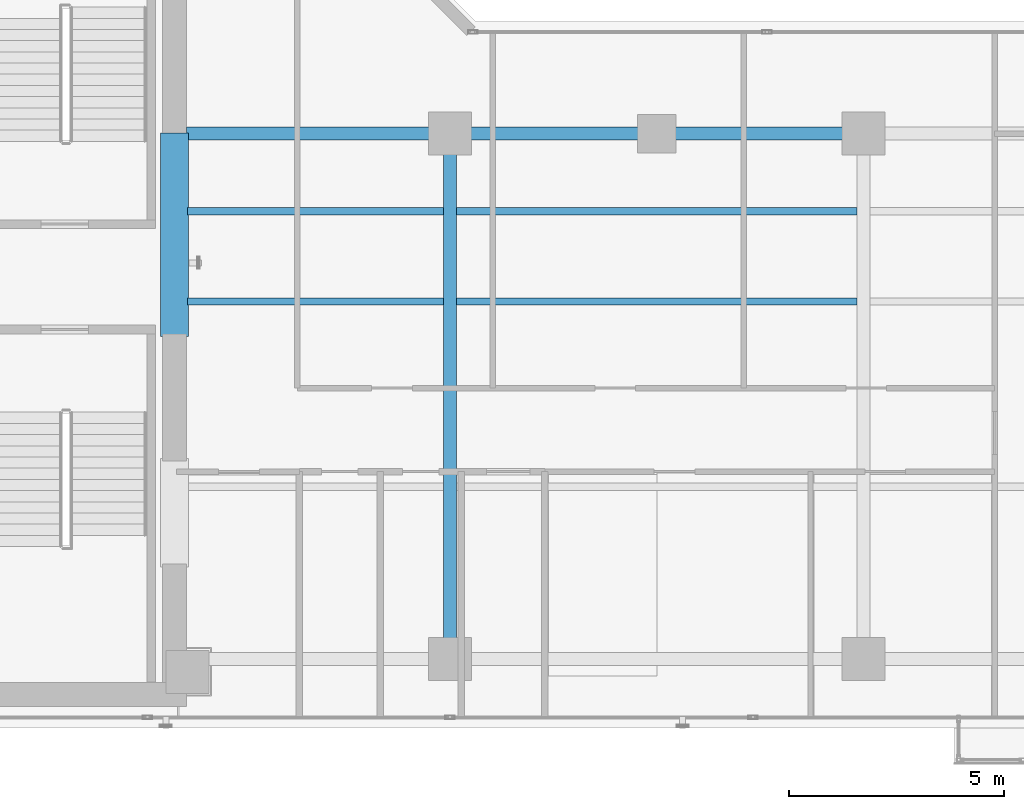
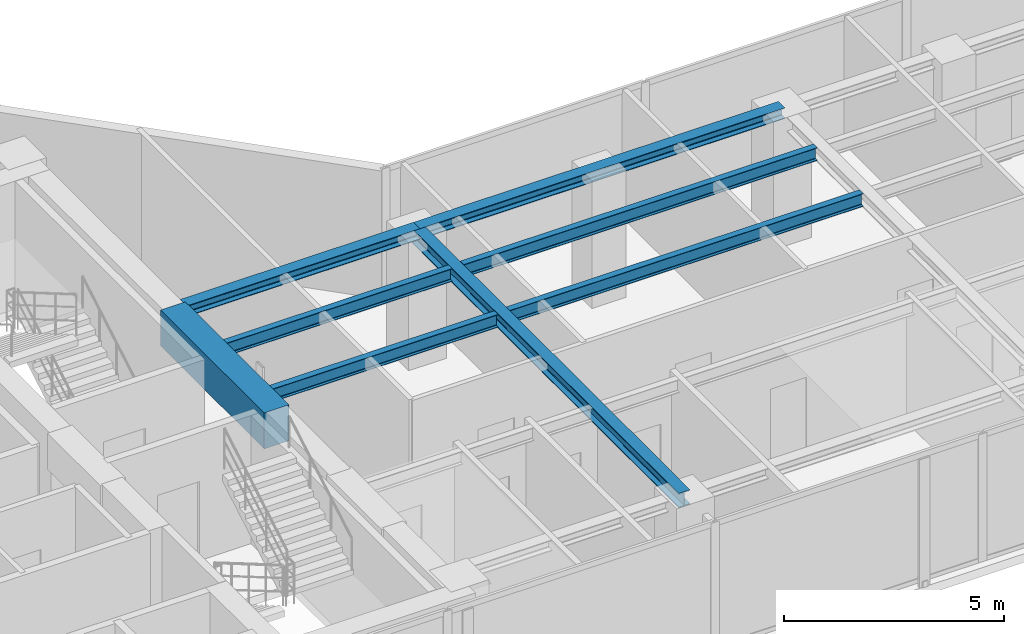
# One storey, part 5 of 23: 8 beams.
"""IFC4 building model written with IfcOpenShell, lengths in metres."""

from ifc_helpers import new_model, si_unit, direction, frame, origin, origin_2d, place, context, subcontext, project, spatial, rectangle, i_section, extrude, material, material_profile, profile_set, type_object, element, save


model = new_model("IFC4")

# Units and contexts
model_context = context("Model", 3, precision=1e-05, world=origin(), true_north=direction((0.0, 1.0)))
body_context = subcontext(model_context, "Body", "Model", "MODEL_VIEW")
ifc_project = project(units=[si_unit("LENGTHUNIT", "METRE"), si_unit("AREAUNIT", "SQUARE_METRE"), si_unit("VOLUMEUNIT", "CUBIC_METRE"), si_unit("PLANEANGLEUNIT", "RADIAN"), si_unit("MASSUNIT", "GRAM", prefix="KILO")], contexts=[model_context])

# Site, building, storey
site_placement = place(None, origin())
site = spatial("IfcSite", under=ifc_project, at=site_placement, CompositionType="ELEMENT")
building_placement = place(site_placement, origin())
building = spatial("IfcBuilding", under=site, at=building_placement, Name="Kolvaren Waterfront Exchange", CompositionType="ELEMENT")
storey_placement = place(building_placement, frame((0.0, 0.0, 227.300048828125)))
storey = spatial("IfcBuildingStorey", under=building, at=storey_placement, Name="L58", CompositionType="ELEMENT", Elevation=227.300048828125)

# Beams
ifc_material_1 = material(Name="Steel S355", Category="steel")
ifc_material_profile_1 = material_profile(ifc_material_1, i_section(OverallWidth=0.300048828125, OverallDepth=0.300048828125, WebThickness=0.010986328125, FlangeThickness=0.01904296875, FilletRadius=0.027099609375, at=origin_2d()), Name="HEB300")
ifc_profile_set_1 = profile_set([ifc_material_profile_1], Name="Steel S355")
beam_type_1 = type_object("IfcBeamType", Name="STR-BM-HEB300", PredefinedType="SPANDREL", material=ifc_profile_set_1)
beam_1_placement = place(storey_placement, frame((21.074951171875, 17.39990234375, 3.409912109375), z_axis=(1.0, 0.0, 0.0), x_axis=(0.0, 1.0, 0.0)))
element("IfcBeam", 1, at=beam_1_placement, inside=storey, type_object=beam_type_1, Name="L58 east-arm spandrel N1", PredefinedType="SPANDREL", context=body_context, shape_type="SweptSolid", body=[
    extrude(i_section(OverallWidth=0.300048828125, OverallDepth=0.300048828125, WebThickness=0.010986328125, FlangeThickness=0.01904296875, FilletRadius=0.027099609375, at=origin_2d()), origin(), (0.0, 0.0, 1.0), 6.125),
])
beam_2_placement = place(storey_placement, frame((27.199951171875, 17.39990234375, 3.409912109375), z_axis=(1.0, 0.0, 0.0), x_axis=(0.0, 1.0, 0.0)))
element("IfcBeam", 2, at=beam_2_placement, inside=storey, type_object=beam_type_1, Name="L58 east-arm spandrel N2", PredefinedType="SPANDREL", context=body_context, shape_type="SweptSolid", body=[
    extrude(i_section(OverallWidth=0.300048828125, OverallDepth=0.300048828125, WebThickness=0.010986328125, FlangeThickness=0.01904296875, FilletRadius=0.027099609375, at=origin_2d()), origin(), (0.0, 0.0, 1.0), 9.60009765625),
])
ifc_material_profile_2 = material_profile(ifc_material_1, i_section(OverallWidth=0.300048828125, OverallDepth=0.39990234375, WebThickness=0.013427734375, FlangeThickness=0.02392578125, FilletRadius=0.027099609375, at=origin_2d()), Name="HEB400")
ifc_profile_set_2 = profile_set([ifc_material_profile_2], Name="Steel S355")
beam_type_2 = type_object("IfcBeamType", Name="STR-BM-HEB400", PredefinedType="BEAM", material=ifc_profile_set_2)
beam_3_placement = place(storey_placement, frame((27.199951171875, 5.199951171875, 3.35986328125), z_axis=(0.0, 1.0, 0.0), x_axis=(-1.0, 0.0, 0.0)))
element("IfcBeam", 3, at=beam_3_placement, inside=storey, type_object=beam_type_2, Name="L58 east-arm transverse girder X27", PredefinedType="BEAM", context=body_context, shape_type="SweptSolid", body=[
    extrude(i_section(OverallWidth=0.300048828125, OverallDepth=0.39990234375, WebThickness=0.013427734375, FlangeThickness=0.02392578125, FilletRadius=0.027099609375, at=origin_2d()), origin(), (0.0, 0.0, 1.0), 12.199951171875),
])
ifc_material_profile_3 = material_profile(ifc_material_1, i_section(OverallWidth=0.169921875, OverallDepth=0.360107421875, WebThickness=0.008056640625, FlangeThickness=0.0126953125, FilletRadius=0.01806640625, at=origin_2d()), Name="IPE360")
ifc_profile_set_3 = profile_set([ifc_material_profile_3], Name="Steel S355")
beam_type_3 = type_object("IfcBeamType", Name="STR-BM-IPE360", PredefinedType="JOIST", material=ifc_profile_set_3)
for number, where, z_axis, x_axis, name in (
    (4, (21.10009765625, 13.5, 3.3798828125), (1.0, 0.0, 0.0), (0.0, 1.0, 0.0), "L58 east-arm composite joist 1A"),
    (5, (21.10009765625, 15.60009765625, 3.3798828125), (1.0, 0.0, 0.0), (0.0, 1.0, 0.0), "L58 east-arm composite joist 1C"),
):
    element("IfcBeam", number, at=place(storey_placement, frame(where, z_axis=z_axis, x_axis=x_axis)), inside=storey, type_object=beam_type_3, Name=name, PredefinedType="JOIST", context=body_context, shape_type="SweptSolid", body=[
        extrude(i_section(OverallWidth=0.169921875, OverallDepth=0.360107421875, WebThickness=0.008056640625, FlangeThickness=0.0126953125, FilletRadius=0.01806640625, at=origin_2d()), origin(), (0.0, 0.0, 1.0), 5.947998046875),
    ])
for number, where, z_axis, x_axis, name in (
    (6, (27.35205078125, 13.5, 3.3798828125), (1.0, 0.0, 0.0), (0.0, 1.0, 0.0), "L58 east-arm composite joist 2A"),
    (7, (27.35205078125, 15.60009765625, 3.3798828125), (1.0, 0.0, 0.0), (0.0, 1.0, 0.0), "L58 east-arm composite joist 2C"),
):
    element("IfcBeam", number, at=place(storey_placement, frame(where, z_axis=z_axis, x_axis=x_axis)), inside=storey, type_object=beam_type_3, Name=name, PredefinedType="JOIST", context=body_context, shape_type="SweptSolid", body=[
        extrude(i_section(OverallWidth=0.169921875, OverallDepth=0.360107421875, WebThickness=0.008056640625, FlangeThickness=0.0126953125, FilletRadius=0.01806640625, at=origin_2d()), origin(), (0.0, 0.0, 1.0), 9.2958984375),
    ])
ifc_material_2 = material(Name="Concrete C60/75", Category="concrete")
ifc_material_profile_4 = material_profile(ifc_material_2, rectangle(XDim=0.64990234375, YDim=1.0, at=origin_2d()), Name="RC-CB-1000x650")
ifc_profile_set_4 = profile_set([ifc_material_profile_4], Name="Concrete C60/75")
beam_type_4 = type_object("IfcBeamType", Name="STR-CB-1000", PredefinedType="SPANDREL", material=ifc_profile_set_4)
beam_4_placement = place(storey_placement, frame((20.800048828125, 12.68994140625, 3.06005859375), z_axis=(0.0, 1.0, 0.0), x_axis=(-1.0, 0.0, 0.0)))
element("IfcBeam", 8, at=beam_4_placement, inside=storey, type_object=beam_type_4, Name="L58 core coupling beam 2", PredefinedType="SPANDREL", context=body_context, shape_type="SweptSolid", body=[
    extrude(rectangle(XDim=0.64990234375, YDim=1.0, at=origin_2d()), origin(), (0.0, 0.0, 1.0), 4.719970703125),
])

save(model, "model.ifc")
